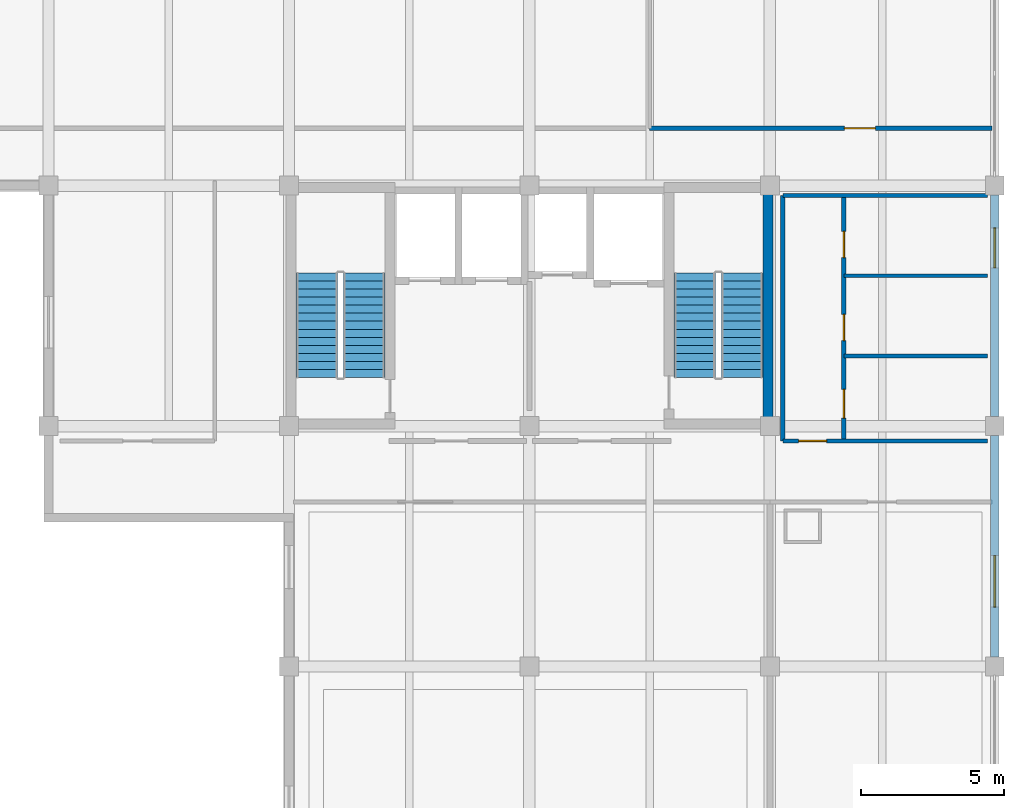
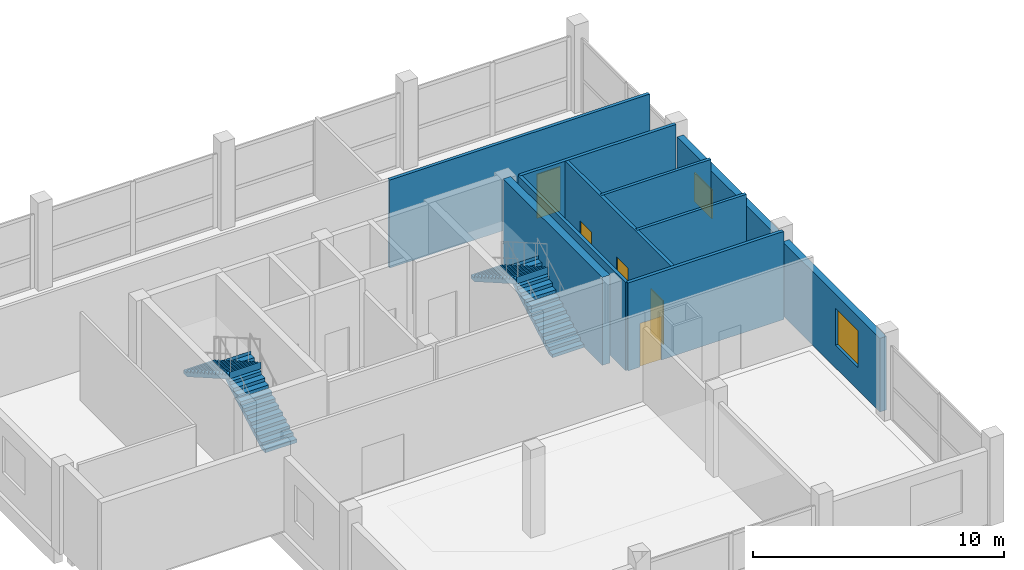
# One storey, part 8 of 9: 10 walls, 5 doors, 4 stair flights, 2 windows, 7 openings, 2 elements without a shape of their own.
"""IFC4 building model written with IfcOpenShell, lengths in metres."""

from ifc_helpers import new_model, si_unit, direction, frame, frame_2d, origin, place, context, subcontext, project, spatial, polyline, rectangle, outline, extrude, material, layer, layer_set, type_object, element, fill, aggregate, save


model = new_model("IFC4")

# Units and contexts
model_context = context("Model", 3, precision=1e-05, world=origin(), true_north=direction((0.0, 1.0)))
body_context = subcontext(model_context, "Body", "Model", "MODEL_VIEW")
ifc_project = project(units=[si_unit("LENGTHUNIT", "METRE"), si_unit("AREAUNIT", "SQUARE_METRE"), si_unit("VOLUMEUNIT", "CUBIC_METRE"), si_unit("PLANEANGLEUNIT", "RADIAN"), si_unit("MASSUNIT", "GRAM", prefix="KILO")], contexts=[model_context])

# Site, building, storey
site_placement = place(None, origin())
site = spatial("IfcSite", under=ifc_project, at=site_placement, CompositionType="ELEMENT")
building_placement = place(site_placement, origin())
building = spatial("IfcBuilding", under=site, at=building_placement, Name="Brinegate Botanical Conservatory", CompositionType="ELEMENT")
storey_placement = place(building_placement, frame((0.0, 0.0, 61.199951171875)))
storey = spatial("IfcBuildingStorey", under=building, at=storey_placement, Name="L15", CompositionType="ELEMENT", Elevation=61.199951171875)

# Wall, opening, window
ifc_material_1 = material(Name="Insulated Minnan red clay brick masonry", Category="masonry")
ifc_layer_1 = layer(ifc_material_1, 0.300048828125, Name="Insulated Minnan red clay brick masonry", Category="masonry")
ifc_layer_set_1 = layer_set([ifc_layer_1], Name="Insulated Minnan red clay brick masonry")
wall_type_1 = type_object("IfcWallType", Name="Wall_EW-300B", PredefinedType="STANDARD", material=ifc_layer_set_1)
wall_1_placement = place(storey_placement, frame((163.449951171875, 94.875, 0.0), z_axis=(0.0, 0.0, 1.0), x_axis=(0.0, -1.0, 0.0)))
wall_1 = element("IfcWall", 1, at=wall_1_placement, inside=storey, type_object=wall_type_1, Name="Tower east brick wall L15.2", PredefinedType="STANDARD", context=body_context, shape_type="SweptSolid", body=[
    extrude(rectangle(XDim=7.75, YDim=0.300048828125, at=frame_2d((3.875, 0.0))), origin(), (0.0, 0.0, 1.0), 3.580078125),
])
opening_1_placement = place(wall_1_placement, frame((4.199951171875, 0.0, 1.10009765625)))
opening_1 = element("IfcOpeningElement", 2, at=opening_1_placement, cuts=wall_1, Name="Opening WN-05", PredefinedType="OPENING", context=body_context, shape_type="SweptSolid", body=[
    extrude(rectangle(XDim=1.800048828125, YDim=1.800048828125, at=frame_2d((0.89990234375, 0.89990234375))), frame((0.0, 0.159912109375, 0.0), z_axis=(0.0, -1.0, 0.0), x_axis=(1.0, 0.0, 0.0)), (0.0, 0.0, 1.0), 0.320068359375),
])
ifc_material_2 = material(Name="Thermally broken aluminium-framed Low-E glass", Category="aluminium")
window_type_1 = type_object("IfcWindowType", Name="Win_WN-05", PartitioningType="DOUBLE_PANEL_VERTICAL", PredefinedType="WINDOW", material=ifc_material_2)
window_1_placement = place(opening_1_placement, origin())
window_1 = element("IfcWindow", 3, at=window_1_placement, inside=storey, type_object=window_type_1, Name="Tower east window L15.2", OverallHeight=1.800048828125, OverallWidth=1.800048828125, PartitioningType="DOUBLE_PANEL_VERTICAL", PredefinedType="WINDOW", context=body_context, shape_type="SweptSolid", body=[
    extrude(rectangle(XDim=1.800048828125, YDim=1.800048828125, at=frame_2d((0.89990234375, 0.89990234375))), frame((0.0, 0.030029296875, 0.0), z_axis=(0.0, -1.0, 0.0), x_axis=(1.0, 0.0, 0.0)), (0.0, 0.0, 1.0), 0.06005859375),
])
fill(opening_1, window_1)

wall_2_placement = place(storey_placement, frame((163.449951171875, 103.27490234375, 0.0), z_axis=(0.0, 0.0, 1.0), x_axis=(0.0, -1.0, 0.0)))
wall_2 = element("IfcWall", 4, at=wall_2_placement, inside=storey, type_object=wall_type_1, Name="Tower east brick wall L15.3", PredefinedType="STANDARD", context=body_context, shape_type="SweptSolid", body=[
    extrude(rectangle(XDim=7.75, YDim=0.300048828125, at=frame_2d((3.875, 0.0))), origin(), (0.0, 0.0, 1.0), 3.580078125),
])
opening_2_placement = place(wall_2_placement, frame((1.14990234375, 0.0, 1.10009765625)))
opening_2 = element("IfcOpeningElement", 5, at=opening_2_placement, cuts=wall_2, Name="Opening WN-16", PredefinedType="OPENING", context=body_context, shape_type="SweptSolid", body=[
    extrude(rectangle(XDim=1.39990234375, YDim=1.39990234375, at=frame_2d((0.699951171875, 0.699951171875))), frame((0.0, 0.159912109375, 0.0), z_axis=(0.0, -1.0, 0.0), x_axis=(1.0, 0.0, 0.0)), (0.0, 0.0, 1.0), 0.320068359375),
])
window_type_2 = type_object("IfcWindowType", Name="Win_WN-16", PartitioningType="SINGLE_PANEL", PredefinedType="WINDOW", material=ifc_material_2)
window_2_placement = place(opening_2_placement, origin())
window_2 = element("IfcWindow", 6, at=window_2_placement, inside=storey, type_object=window_type_2, Name="Tower east window L15.3", OverallHeight=1.39990234375, OverallWidth=1.39990234375, PartitioningType="SINGLE_PANEL", PredefinedType="WINDOW", context=body_context, shape_type="SweptSolid", body=[
    extrude(rectangle(XDim=1.39990234375, YDim=1.39990234375, at=frame_2d((0.699951171875, 0.699951171875))), frame((0.0, 0.030029296875, 0.0), z_axis=(0.0, -1.0, 0.0), x_axis=(1.0, 0.0, 0.0)), (0.0, 0.0, 1.0), 0.06005859375),
])
fill(opening_2, window_2)

# Walls
ifc_material_3 = material(Name="Gypsum-clad steel-stud partition", Category="steel")
ifc_layer_2 = layer(ifc_material_3, 0.135009765625, Name="Gypsum-clad steel-stud partition", Category="steel")
ifc_layer_set_2 = layer_set([ifc_layer_2], Name="Gypsum-clad steel-stud partition")
wall_type_2 = type_object("IfcWallType", Name="Wall_PW-135", PredefinedType="PARTITIONING", material=ifc_layer_set_2)
for number, where, z_axis, x_axis, name in (
    (7, (158.179931640625, 97.64990234375, 0.0), (0.0, 0.0, 1.0), (1.0, 0.0, 0.0), "Interior partition P-L15-WCD-9765"),
    (8, (158.179931640625, 100.449951171875, 0.0), (0.0, 0.0, 1.0), (1.0, 0.0, 0.0), "Interior partition P-L15-WCD-10045"),
):
    element("IfcWall", number, at=place(storey_placement, frame(where, z_axis=z_axis, x_axis=x_axis)), inside=storey, type_object=wall_type_2, Name=name, PredefinedType="PARTITIONING", context=body_context, shape_type="SweptSolid", body=[
        extrude(rectangle(XDim=5.02001953125, YDim=0.135009765625, at=frame_2d((2.510009765625, 0.0))), origin(), (0.0, 0.0, 1.0), 4.280029296875),
    ])

# Wall, opening, door
ifc_material_4 = material(Name="Gypsum-clad acoustic steel-stud partition", Category="steel")
ifc_layer_3 = layer(ifc_material_4, 0.14501953125, Name="Gypsum-clad acoustic steel-stud partition", Category="steel")
ifc_layer_set_3 = layer_set([ifc_layer_3], Name="Gypsum-clad acoustic steel-stud partition")
wall_type_3 = type_object("IfcWallType", Name="Wall_PW-150", PredefinedType="PARTITIONING", material=ifc_layer_set_3)
wall_3_placement = place(storey_placement, frame((151.39990234375, 105.60009765625, 0.0), z_axis=(0.0, 0.0, 1.0), x_axis=(1.0, 0.0, 0.0)))
wall_3 = element("IfcWall", 9, at=wall_3_placement, inside=storey, type_object=wall_type_3, Name="Interior partition P-L15-NB-N2", PredefinedType="PARTITIONING", context=body_context, shape_type="SweptSolid", body=[
    extrude(rectangle(XDim=11.9501953125, YDim=0.14501953125, at=frame_2d((5.97509765625, 0.0))), origin(), (0.0, 0.0, 1.0), 4.280029296875),
])
opening_3_placement = place(wall_3_placement, frame((6.800048828125, 0.0, 0.0)))
opening_3 = element("IfcOpeningElement", 10, at=opening_3_placement, cuts=wall_3, Name="Opening DR-01", PredefinedType="OPENING", context=body_context, shape_type="SweptSolid", body=[
    extrude(rectangle(XDim=1.080078125, YDim=2.14990234375, at=frame_2d((0.5400390625, 1.074951171875))), frame((0.0, 0.08251953125, 0.0), z_axis=(0.0, -1.0, 0.0), x_axis=(1.0, 0.0, 0.0)), (0.0, 0.0, 1.0), 0.1650390625),
])
ifc_material_5 = material(Name="Hardwood timber acoustic leaf", Category="wood")
door_type_1 = type_object("IfcDoorType", Name="Door_DR-01", OperationType="NOTDEFINED", PredefinedType="DOOR", material=ifc_material_5)
door_1_placement = place(opening_3_placement, origin())
door_1 = element("IfcDoor", 11, at=door_1_placement, inside=storey, type_object=door_type_1, Name="DR-P-L15-NB-N2-1", OperationType="SINGLE_SWING_RIGHT", OverallHeight=2.14990234375, OverallWidth=1.080078125, PredefinedType="DOOR", context=body_context, shape_type="SweptSolid", body=[
    extrude(rectangle(XDim=1.080078125, YDim=2.14990234375, at=frame_2d((0.5400390625, 1.074951171875))), frame((0.0, 0.02490234375, 0.0), z_axis=(0.0, -1.0, 0.0), x_axis=(1.0, 0.0, 0.0)), (0.0, 0.0, 1.0), 0.050048828125),
])
fill(opening_3, door_1)

ifc_material_6 = material(Name="Moisture-resistant cement-board partition", Category="gypsum")
ifc_layer_4 = layer(ifc_material_6, 0.14990234375, Name="Moisture-resistant cement-board partition", Category="gypsum")
ifc_layer_set_4 = layer_set([ifc_layer_4], Name="Moisture-resistant cement-board partition")
wall_type_4 = type_object("IfcWallType", Name="Wall_PW-150W", PredefinedType="PARTITIONING", material=ifc_layer_set_4)
wall_4_placement = place(storey_placement, frame((156.050048828125, 94.679931640625, 0.0), z_axis=(0.0, 0.0, 1.0), x_axis=(1.0, 0.0, 0.0)))
wall_4 = element("IfcWall", 12, at=wall_4_placement, inside=storey, type_object=wall_type_4, Name="Interior partition P-L15-WCS", PredefinedType="PARTITIONING", context=body_context, shape_type="SweptSolid", body=[
    extrude(rectangle(XDim=7.14990234375, YDim=0.14990234375, at=frame_2d((3.574951171875, 0.0))), origin(), (0.0, 0.0, 1.0), 4.280029296875),
])
opening_4_placement = place(wall_4_placement, frame((0.550048828125, 0.0, 0.0)))
opening_4 = element("IfcOpeningElement", 13, at=opening_4_placement, cuts=wall_4, Name="Opening DR-03", PredefinedType="OPENING", context=body_context, shape_type="SweptSolid", body=[
    extrude(rectangle(XDim=0.97998046875, YDim=2.1201171875, at=frame_2d((0.489990234375, 1.06005859375))), frame((0.0, 0.0849609375, 0.0), z_axis=(0.0, -1.0, 0.0), x_axis=(1.0, 0.0, 0.0)), (0.0, 0.0, 1.0), 0.169921875),
])
ifc_material_7 = material(Name="Steel-core hardwood smoke-sealed fire door", Category="steel")
door_type_2 = type_object("IfcDoorType", Name="Door_DR-03", OperationType="NOTDEFINED", PredefinedType="DOOR", material=ifc_material_7)
door_2_placement = place(opening_4_placement, origin())
door_2 = element("IfcDoor", 14, at=door_2_placement, inside=storey, type_object=door_type_2, Name="DR-P-L15-WCS-1", OperationType="SINGLE_SWING_LEFT", OverallHeight=2.1201171875, OverallWidth=0.97998046875, PredefinedType="DOOR", context=body_context, shape_type="SweptSolid", body=[
    extrude(rectangle(XDim=0.97998046875, YDim=2.1201171875, at=frame_2d((0.489990234375, 1.06005859375))), frame((0.0, 0.02490234375, 0.0), z_axis=(0.0, -1.0, 0.0), x_axis=(1.0, 0.0, 0.0)), (0.0, 0.0, 1.0), 0.050048828125),
])
fill(opening_4, door_2)

# Wall, openings, doors
wall_5_placement = place(storey_placement, frame((158.179931640625, 94.679931640625, 0.0), z_axis=(0.0, 0.0, 1.0), x_axis=(0.0, 1.0, 0.0)))
wall_5 = element("IfcWall", 15, at=wall_5_placement, inside=storey, type_object=wall_type_4, Name="Interior partition P-L15-WCW", PredefinedType="PARTITIONING", context=body_context, shape_type="SweptSolid", body=[
    extrude(rectangle(XDim=8.570068359375, YDim=0.14990234375, at=frame_2d((4.28515625, 0.0))), origin(), (0.0, 0.0, 1.0), 4.280029296875),
])
opening_5_placement = place(wall_5_placement, frame((0.800048828125, 0.0, 0.0)))
opening_5 = element("IfcOpeningElement", 16, at=opening_5_placement, cuts=wall_5, Name="Opening DR-ACC", PredefinedType="OPENING", context=body_context, shape_type="SweptSolid", body=[
    extrude(rectangle(XDim=1.0, YDim=2.1201171875, at=frame_2d((0.5, 1.06005859375))), frame((0.0, 0.0849609375, 0.0), z_axis=(0.0, -1.0, 0.0), x_axis=(1.0, 0.0, 0.0)), (0.0, 0.0, 1.0), 0.169921875),
])
opening_6_placement = place(wall_5_placement, frame((3.5, 0.0, 0.0)))
opening_6 = element("IfcOpeningElement", 17, at=opening_6_placement, cuts=wall_5, Name="Opening DR-04", PredefinedType="OPENING", context=body_context, shape_type="SweptSolid", body=[
    extrude(rectangle(XDim=0.919921875, YDim=2.10009765625, at=frame_2d((0.4599609375, 1.050048828125))), frame((0.0, 0.0849609375, 0.0), z_axis=(0.0, -1.0, 0.0), x_axis=(1.0, 0.0, 0.0)), (0.0, 0.0, 1.0), 0.169921875),
])
opening_7_placement = place(wall_5_placement, frame((6.39990234375, 0.0, 0.0)))
opening_7 = element("IfcOpeningElement", 18, at=opening_7_placement, cuts=wall_5, Name="Opening DR-04", PredefinedType="OPENING", context=body_context, shape_type="SweptSolid", body=[
    extrude(rectangle(XDim=0.919921875, YDim=2.10009765625, at=frame_2d((0.4599609375, 1.050048828125))), frame((0.0, 0.0849609375, 0.0), z_axis=(0.0, -1.0, 0.0), x_axis=(1.0, 0.0, 0.0)), (0.0, 0.0, 1.0), 0.169921875),
])
ifc_material_8 = material(Name="Moisture-resistant laminate timber leaf", Category="wood")
door_type_3 = type_object("IfcDoorType", Name="Door_DR-04", OperationType="NOTDEFINED", PredefinedType="DOOR", material=ifc_material_8)
door_3_placement = place(opening_6_placement, origin())
door_3 = element("IfcDoor", 19, at=door_3_placement, inside=storey, type_object=door_type_3, Name="DR-P-L15-WCW-2", OperationType="SINGLE_SWING_RIGHT", OverallHeight=2.10009765625, OverallWidth=0.919921875, PredefinedType="DOOR", context=body_context, shape_type="SweptSolid", body=[
    extrude(rectangle(XDim=0.919921875, YDim=2.10009765625, at=frame_2d((0.4599609375, 1.050048828125))), frame((0.0, 0.02490234375, 0.0), z_axis=(0.0, -1.0, 0.0), x_axis=(1.0, 0.0, 0.0)), (0.0, 0.0, 1.0), 0.050048828125),
])
fill(opening_6, door_3)
door_4_placement = place(opening_7_placement, origin())
door_4 = element("IfcDoor", 20, at=door_4_placement, inside=storey, type_object=door_type_3, Name="DR-P-L15-WCW-3", OperationType="SINGLE_SWING_LEFT", OverallHeight=2.10009765625, OverallWidth=0.919921875, PredefinedType="DOOR", context=body_context, shape_type="SweptSolid", body=[
    extrude(rectangle(XDim=0.919921875, YDim=2.10009765625, at=frame_2d((0.4599609375, 1.050048828125))), frame((0.0, 0.02490234375, 0.0), z_axis=(0.0, -1.0, 0.0), x_axis=(1.0, 0.0, 0.0)), (0.0, 0.0, 1.0), 0.050048828125),
])
fill(opening_7, door_4)
ifc_material_9 = material(Name="Moisture-resistant barrier-free timber leaf", Category="wood")
door_type_4 = type_object("IfcDoorType", Name="Door_DR-ACC", OperationType="NOTDEFINED", PredefinedType="DOOR", material=ifc_material_9)
door_5_placement = place(opening_5_placement, origin())
door_5 = element("IfcDoor", 21, at=door_5_placement, inside=storey, type_object=door_type_4, Name="DR-P-L15-WCW-1", OperationType="SINGLE_SWING_LEFT", OverallHeight=2.1201171875, OverallWidth=1.0, PredefinedType="DOOR", context=body_context, shape_type="SweptSolid", body=[
    extrude(rectangle(XDim=1.0, YDim=2.1201171875, at=frame_2d((0.5, 1.06005859375))), frame((0.0, 0.02490234375, 0.0), z_axis=(0.0, -1.0, 0.0), x_axis=(1.0, 0.0, 0.0)), (0.0, 0.0, 1.0), 0.050048828125),
])
fill(opening_5, door_5)

# Walls
wall_6_placement = place(storey_placement, frame((156.050048828125, 103.25, 0.0), z_axis=(0.0, 0.0, 1.0), x_axis=(1.0, 0.0, 0.0)))
element("IfcWall", 22, at=wall_6_placement, inside=storey, type_object=wall_type_4, Name="Interior partition P-L15-WCN", PredefinedType="PARTITIONING", context=body_context, shape_type="SweptSolid", body=[
    extrude(rectangle(XDim=7.14990234375, YDim=0.14990234375, at=frame_2d((3.574951171875, 0.0))), origin(), (0.0, 0.0, 1.0), 4.280029296875),
])
wall_7_placement = place(storey_placement, frame((156.050048828125, 94.679931640625, 0.0), z_axis=(0.0, 0.0, 1.0), x_axis=(0.0, 1.0, 0.0)))
element("IfcWall", 23, at=wall_7_placement, inside=storey, type_object=wall_type_4, Name="Interior partition P-L15-WCWW", PredefinedType="PARTITIONING", context=body_context, shape_type="SweptSolid", body=[
    extrude(rectangle(XDim=8.570068359375, YDim=0.14990234375, at=frame_2d((4.28515625, 0.0))), origin(), (0.0, 0.0, 1.0), 4.280029296875),
])
ifc_material_10 = material(Name="Concrete C40/50", Category="concrete")
ifc_layer_5 = layer(ifc_material_10, 0.35009765625, Name="Concrete C40/50", Category="concrete")
ifc_layer_set_5 = layer_set([ifc_layer_5], Name="Concrete C40/50")
wall_type_5 = type_object("IfcWallType", Name="Wall_SW-350", PredefinedType="SHEAR", material=ifc_layer_set_5)
wall_8_placement = place(storey_placement, frame((155.52490234375, 95.449951171875, 0.0), z_axis=(0.0, 0.0, 1.0), x_axis=(0.0, 1.0, 0.0)))
element("IfcWall", 24, at=wall_8_placement, inside=storey, type_object=wall_type_5, Name="Stairwell ST2 shear wall L15 E", PredefinedType="SHEAR", context=body_context, shape_type="SweptSolid", body=[
    extrude(rectangle(XDim=7.900146484375, YDim=0.35009765625, at=frame_2d((3.9501953125, 0.0))), origin(), (0.0, 0.0, 1.0), 4.280029296875),
])

# Stair, stair flights
stair_type = type_object("IfcStairType", Name="Stair_HT-4500", PredefinedType="HALF_TURN_STAIR", material=ifc_material_10)
stair_1_placement = place(storey_placement, origin())
stair_1 = element("IfcStair", 25, at=stair_1_placement, inside=storey, type_object=stair_type, Name="L15 Tower West Smoke-Proof Stair ST1", PredefinedType="HALF_TURN_STAIR")
stair_flight_type = type_object("IfcStairFlightType", Name="Flight_SF-4500", PredefinedType="STRAIGHT", material=ifc_material_10)
stair_flight_1_placement = place(storey_placement, frame((141.425048828125, 96.89990234375, 0.0), z_axis=(0.0, 0.0, 1.0), x_axis=(0.0, 1.0, 0.0)))
stair_flight_1 = element("IfcStairFlight", 26, at=stair_flight_1_placement, type_object=stair_flight_type, Name="ST1 flight 1", NumberOfRisers=14, NumberOfTreads=13, PredefinedType="STRAIGHT", RiserHeight=0.160714286, TreadLength=0.28, context=body_context, shape_type="SweptSolid", body=[
    extrude(outline(polyline([(-0.00048828125, 0.0), (-0.00048828125, 0.16064453125), (0.280029296875, 0.16064453125), (0.280029296875, 0.321533203125), (0.56005859375, 0.321533203125), (0.56005859375, 0.482177734375), (0.840087890625, 0.482177734375), (0.840087890625, 0.642822265625), (1.1201171875, 0.642822265625), (1.1201171875, 0.803466796875), (1.39990234375, 0.803466796875), (1.39990234375, 0.96435546875), (1.679931640625, 0.96435546875), (1.679931640625, 1.125), (1.9599609375, 1.125), (1.9599609375, 1.28564453125), (2.239990234375, 1.28564453125), (2.239990234375, 1.446533203125), (2.52001953125, 1.446533203125), (2.52001953125, 1.607177734375), (2.800048828125, 1.607177734375), (2.800048828125, 1.767822265625), (3.080078125, 1.767822265625), (3.080078125, 1.928466796875), (3.360107421875, 1.928466796875), (3.360107421875, 2.08935546875), (3.639892578125, 2.08935546875), (3.639892578125, 2.25), (3.640380859375, 2.25), (3.640380859375, 1.91650390625), (0.301025390625, 0.0), (-0.00048828125, 0.0)])), frame((0.0, 0.72509765625, 0.0), z_axis=(0.0, -1.0, 0.0), x_axis=(1.0, 0.0, 0.0)), (0.0, 0.0, 1.0), 1.449951171875),
])
stair_flight_2_placement = place(storey_placement, frame((139.77490234375, 100.5400390625, 2.25), z_axis=(0.0, 0.0, 1.0), x_axis=(0.0, -1.0, 0.0)))
stair_flight_2 = element("IfcStairFlight", 27, at=stair_flight_2_placement, type_object=stair_flight_type, Name="ST1 flight 2", NumberOfRisers=14, NumberOfTreads=13, PredefinedType="STRAIGHT", RiserHeight=0.160714286, TreadLength=0.28, context=body_context, shape_type="SweptSolid", body=[
    extrude(outline(polyline([(-0.00048828125, 0.0), (-0.00048828125, 0.16064453125), (0.280029296875, 0.16064453125), (0.280029296875, 0.321533203125), (0.56005859375, 0.321533203125), (0.56005859375, 0.482177734375), (0.840087890625, 0.482177734375), (0.840087890625, 0.642822265625), (1.1201171875, 0.642822265625), (1.1201171875, 0.803466796875), (1.39990234375, 0.803466796875), (1.39990234375, 0.96435546875), (1.679931640625, 0.96435546875), (1.679931640625, 1.125), (1.9599609375, 1.125), (1.9599609375, 1.28564453125), (2.239990234375, 1.28564453125), (2.239990234375, 1.446533203125), (2.52001953125, 1.446533203125), (2.52001953125, 1.607177734375), (2.800048828125, 1.607177734375), (2.800048828125, 1.767822265625), (3.080078125, 1.767822265625), (3.080078125, 1.928466796875), (3.360107421875, 1.928466796875), (3.360107421875, 2.08935546875), (3.639892578125, 2.08935546875), (3.639892578125, 2.25), (3.640380859375, 2.25), (3.640380859375, 1.91650390625), (0.301025390625, 0.0), (-0.00048828125, 0.0)])), frame((0.0, 0.72509765625, 0.0), z_axis=(0.0, -1.0, 0.0), x_axis=(1.0, 0.0, 0.0)), (0.0, 0.0, 1.0), 1.449951171875),
])
aggregate(stair_1, [stair_flight_1, stair_flight_2])

stair_2_placement = place(storey_placement, origin())
stair_2 = element("IfcStair", 28, at=stair_2_placement, inside=storey, type_object=stair_type, Name="L15 Tower East Smoke-Proof Stair ST2", PredefinedType="HALF_TURN_STAIR")
stair_flight_3_placement = place(storey_placement, frame((154.625, 96.89990234375, 0.0), z_axis=(0.0, 0.0, 1.0), x_axis=(0.0, 1.0, 0.0)))
stair_flight_3 = element("IfcStairFlight", 29, at=stair_flight_3_placement, type_object=stair_flight_type, Name="ST2 flight 1", NumberOfRisers=14, NumberOfTreads=13, PredefinedType="STRAIGHT", RiserHeight=0.160714286, TreadLength=0.28, context=body_context, shape_type="SweptSolid", body=[
    extrude(outline(polyline([(-0.00048828125, 0.0), (-0.00048828125, 0.16064453125), (0.280029296875, 0.16064453125), (0.280029296875, 0.321533203125), (0.56005859375, 0.321533203125), (0.56005859375, 0.482177734375), (0.840087890625, 0.482177734375), (0.840087890625, 0.642822265625), (1.1201171875, 0.642822265625), (1.1201171875, 0.803466796875), (1.39990234375, 0.803466796875), (1.39990234375, 0.96435546875), (1.679931640625, 0.96435546875), (1.679931640625, 1.125), (1.9599609375, 1.125), (1.9599609375, 1.28564453125), (2.239990234375, 1.28564453125), (2.239990234375, 1.446533203125), (2.52001953125, 1.446533203125), (2.52001953125, 1.607177734375), (2.800048828125, 1.607177734375), (2.800048828125, 1.767822265625), (3.080078125, 1.767822265625), (3.080078125, 1.928466796875), (3.360107421875, 1.928466796875), (3.360107421875, 2.08935546875), (3.639892578125, 2.08935546875), (3.639892578125, 2.25), (3.640380859375, 2.25), (3.640380859375, 1.91650390625), (0.301025390625, 0.0), (-0.00048828125, 0.0)])), frame((0.0, 0.72509765625, 0.0), z_axis=(0.0, -1.0, 0.0), x_axis=(1.0, 0.0, 0.0)), (0.0, 0.0, 1.0), 1.449951171875),
])
stair_flight_4_placement = place(storey_placement, frame((152.97509765625, 100.5400390625, 2.25), z_axis=(0.0, 0.0, 1.0), x_axis=(0.0, -1.0, 0.0)))
stair_flight_4 = element("IfcStairFlight", 30, at=stair_flight_4_placement, type_object=stair_flight_type, Name="ST2 flight 2", NumberOfRisers=14, NumberOfTreads=13, PredefinedType="STRAIGHT", RiserHeight=0.160714286, TreadLength=0.28, context=body_context, shape_type="SweptSolid", body=[
    extrude(outline(polyline([(-0.00048828125, 0.0), (-0.00048828125, 0.16064453125), (0.280029296875, 0.16064453125), (0.280029296875, 0.321533203125), (0.56005859375, 0.321533203125), (0.56005859375, 0.482177734375), (0.840087890625, 0.482177734375), (0.840087890625, 0.642822265625), (1.1201171875, 0.642822265625), (1.1201171875, 0.803466796875), (1.39990234375, 0.803466796875), (1.39990234375, 0.96435546875), (1.679931640625, 0.96435546875), (1.679931640625, 1.125), (1.9599609375, 1.125), (1.9599609375, 1.28564453125), (2.239990234375, 1.28564453125), (2.239990234375, 1.446533203125), (2.52001953125, 1.446533203125), (2.52001953125, 1.607177734375), (2.800048828125, 1.607177734375), (2.800048828125, 1.767822265625), (3.080078125, 1.767822265625), (3.080078125, 1.928466796875), (3.360107421875, 1.928466796875), (3.360107421875, 2.08935546875), (3.639892578125, 2.08935546875), (3.639892578125, 2.25), (3.640380859375, 2.25), (3.640380859375, 1.91650390625), (0.301025390625, 0.0), (-0.00048828125, 0.0)])), frame((0.0, 0.72509765625, 0.0), z_axis=(0.0, -1.0, 0.0), x_axis=(1.0, 0.0, 0.0)), (0.0, 0.0, 1.0), 1.449951171875),
])
aggregate(stair_2, [stair_flight_3, stair_flight_4])

save(model, "model.ifc")
